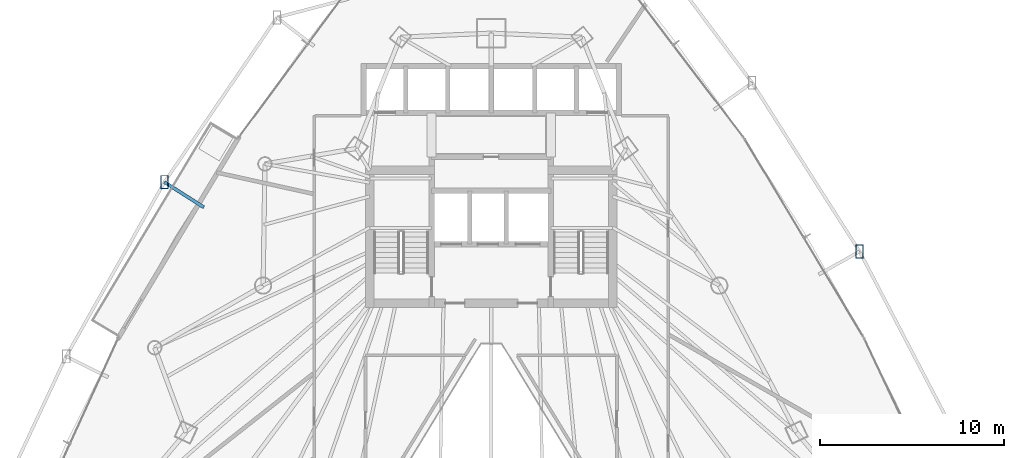
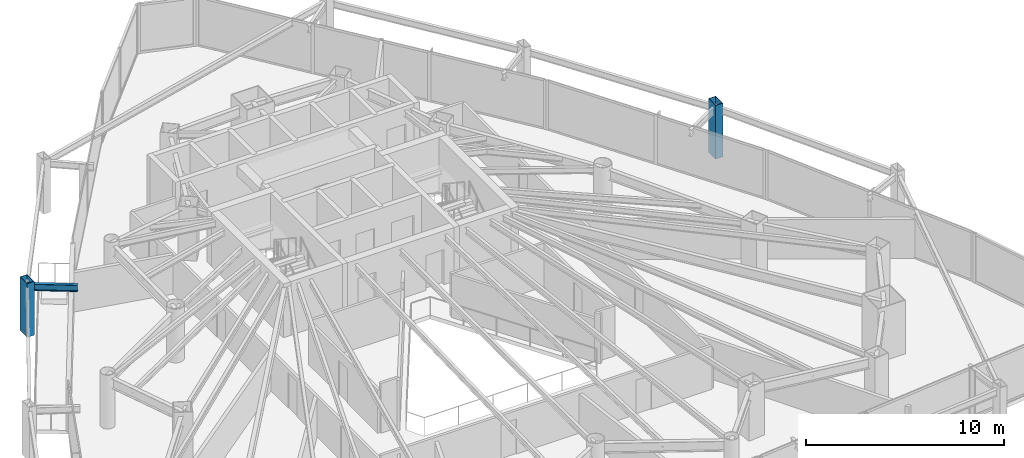
# One storey, part 22 of 37: 2 members, 1 beam.
"""IFC4 building model written with IfcOpenShell, lengths in metres."""

from ifc_helpers import new_model, si_unit, direction, frame, origin, origin_2d, place, context, subcontext, project, spatial, hollow_rectangle, i_section, extrude, material, material_profile, profile_set, type_object, element, save


model = new_model("IFC4")

# Units and contexts
model_context = context("Model", 3, precision=1e-05, world=origin(), true_north=direction((0.0, 1.0)))
body_context = subcontext(model_context, "Body", "Model", "MODEL_VIEW")
ifc_project = project(units=[si_unit("LENGTHUNIT", "METRE"), si_unit("AREAUNIT", "SQUARE_METRE"), si_unit("VOLUMEUNIT", "CUBIC_METRE"), si_unit("PLANEANGLEUNIT", "RADIAN"), si_unit("MASSUNIT", "GRAM", prefix="KILO")], contexts=[model_context])

# Site, building, storey
site_placement = place(None, origin())
site = spatial("IfcSite", under=ifc_project, at=site_placement, CompositionType="ELEMENT")
building_placement = place(site_placement, origin())
building = spatial("IfcBuilding", under=site, at=building_placement, Name="Orvanel Arch Residences", CompositionType="ELEMENT")
storey_placement = place(building_placement, frame((0.0, 0.0, 53.300048828125)))
storey = spatial("IfcBuildingStorey", under=building, at=storey_placement, Name="L14", CompositionType="ELEMENT", Elevation=53.300048828125)

# Members
ifc_material_1 = material(Name="Structural steel AS/NZS 3678 Grade 350", Category="steel")
ifc_material_profile_1 = material_profile(ifc_material_1, hollow_rectangle(XDim=0.419921875, YDim=0.719970703125, WallThickness=0.02490234375, at=origin_2d()), Name="RHS720x420x25")
ifc_profile_set_1 = profile_set([ifc_material_profile_1], Name="Structural steel AS/NZS 3678 Grade 350")
member_type = type_object("IfcMemberType", Name="CH-720RHS-EXT", PredefinedType="CHORD", material=ifc_profile_set_1)
for number, where, z_axis, x_axis, name in (
    (1, (15.19189453125, 33.279052734375, 0.0), (0.0, 0.0, 1.0), (1.0, 0.0, 0.0), "L14 Outer Perimeter Frame Post 02"),
    (2, (53.073974609375, 29.5009765625, 0.0), (0.0, 0.0, 1.0), (1.0, 0.0, 0.0), "L14 Outer Perimeter Frame Post 10"),
):
    element("IfcMember", number, at=place(storey_placement, frame(where, z_axis=z_axis, x_axis=x_axis)), inside=storey, type_object=member_type, Name=name, PredefinedType="CHORD", context=body_context, shape_type="SweptSolid", body=[
        extrude(hollow_rectangle(XDim=0.419921875, YDim=0.719970703125, WallThickness=0.02490234375, at=origin_2d()), origin(), (0.0, 0.0, 1.0), 3.300048828125),
    ])

# Beam
ifc_material_2 = material(Name="Structural steel AS/NZS 3679.1 Grade 300 (300 MPa)", Category="steel")
ifc_material_profile_2 = material_profile(ifc_material_2, i_section(OverallWidth=0.177978515625, OverallDepth=0.406005859375, WebThickness=0.0078125, FlangeThickness=0.0126953125, at=origin_2d()), Name="410UB59.7")
ifc_profile_set_2 = profile_set([ifc_material_profile_2], Name="Structural steel AS/NZS 3679.1 Grade 300 (300 MPa)")
beam_type = type_object("IfcBeamType", Name="OB-410UB-EXT", PredefinedType="SPANDREL", material=ifc_profile_set_2)
beam_placement = place(storey_placement, frame((17.342041015625, 31.906982421875, 2.85693359375), z_axis=(-0.842986856893, 0.537934158708, 0.0), x_axis=(-0.537934158708, -0.842986856893, 0.0)))
element("IfcBeam", 3, at=beam_placement, inside=storey, type_object=beam_type, Name="L14 Outer Frame Radial Tie Beam 02", PredefinedType="SPANDREL", context=body_context, shape_type="SweptSolid", body=[
    extrude(i_section(OverallWidth=0.177978515625, OverallDepth=0.406005859375, WebThickness=0.0078125, FlangeThickness=0.0126953125, at=origin_2d()), origin(), (0.0, 0.0, 1.0), 2.550537109375),
])

save(model, "model.ifc")
